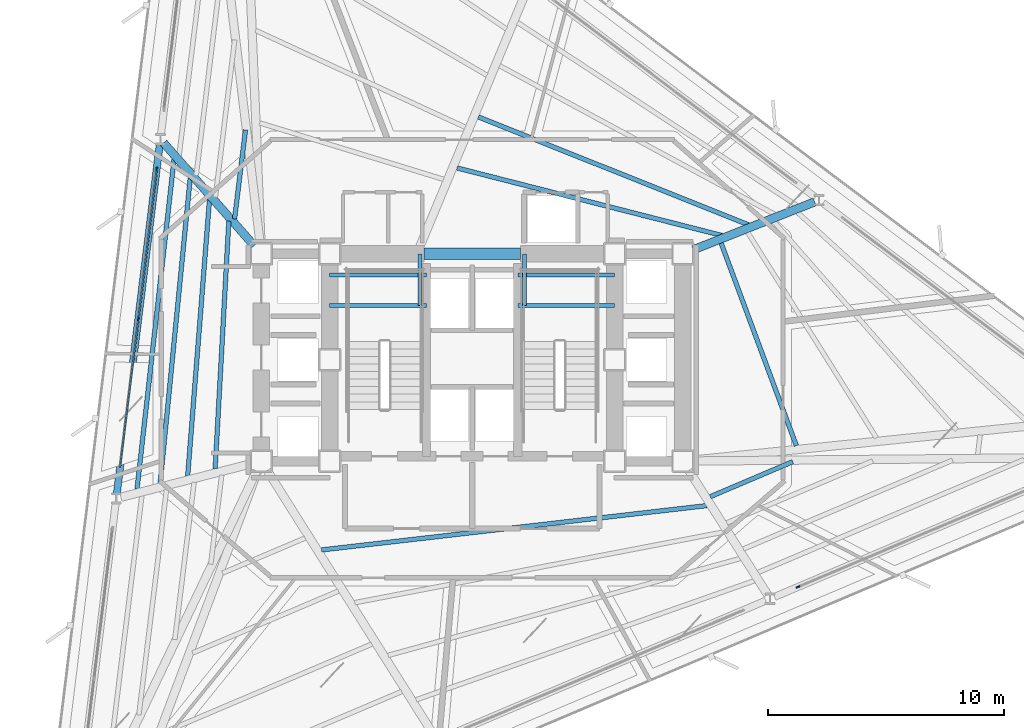
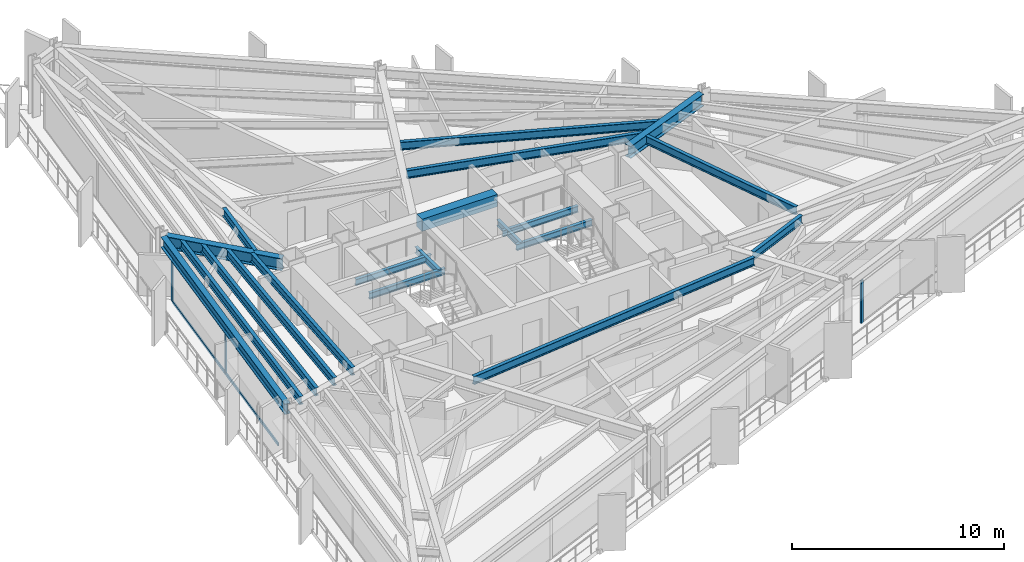
# One storey, part 3 of 13: 20 beams, 7 members, 2 elements without a shape of their own.
"""IFC4 building model written with IfcOpenShell, lengths in metres."""

from ifc_helpers import new_model, si_unit, direction, frame, origin, origin_2d, place, context, subcontext, project, spatial, rectangle, i_section, extrude, material, layer, layer_set, material_profile, profile_set, type_object, element, aggregate, save


model = new_model("IFC4")

# Units and contexts
model_context = context("Model", 3, precision=1e-05, world=origin(), true_north=direction((0.0, 1.0)))
body_context = subcontext(model_context, "Body", "Model", "MODEL_VIEW")
ifc_project = project(units=[si_unit("LENGTHUNIT", "METRE"), si_unit("AREAUNIT", "SQUARE_METRE"), si_unit("VOLUMEUNIT", "CUBIC_METRE"), si_unit("PLANEANGLEUNIT", "RADIAN"), si_unit("MASSUNIT", "GRAM", prefix="KILO")], contexts=[model_context])

# Site, building, storey
site_placement = place(None, origin())
site = spatial("IfcSite", under=ifc_project, at=site_placement, CompositionType="ELEMENT")
building_placement = place(site_placement, origin())
building = spatial("IfcBuilding", under=site, at=building_placement, Name="Rocaltana Carrier Exchange", CompositionType="ELEMENT")
storey_placement = place(building_placement, frame((0.0, 0.0, 59.679931640625)))
storey = spatial("IfcBuildingStorey", under=building, at=storey_placement, Name="L18", CompositionType="ELEMENT", Elevation=59.679931640625)

# Curtain wall, members
ifc_material_1 = material(Name="Aluminium 6063-T6", Category="aluminium")
ifc_layer = layer(ifc_material_1, 0.1650390625)
ifc_layer_set = layer_set([ifc_layer], Name="Aluminium 6063-T6")
curtain_wall_type = type_object("IfcCurtainWallType", Name="Lower-Mid Stepped Curtain Wall CW-02", PredefinedType="NOTDEFINED", material=ifc_layer_set)
curtain_wall_1_placement = place(storey_placement, origin())
curtain_wall_1 = element("IfcCurtainWall", 1, at=curtain_wall_1_placement, inside=storey, type_object=curtain_wall_type, Name="L18 CW-02 Run CW-L18-F2S2", PredefinedType="NOTDEFINED")
ifc_material_2 = material(Name="Aluminium 6063-T6", Category="aluminium")
ifc_material_profile_1 = material_profile(ifc_material_2, rectangle(XDim=0.06494140625, YDim=0.1650390625, at=origin_2d()), Name="AL-65X165")
ifc_profile_set_1 = profile_set([ifc_material_profile_1], Name="Aluminium 6063-T6")
member_type_1 = type_object("IfcMemberType", Name="CW-02 Mullion AL-65X165", PredefinedType="MULLION", material=ifc_profile_set_1)
member_1_placement = place(storey_placement, frame((-13.39404296875, 8.093505859375, 0.0), z_axis=(0.0, 0.0, 1.0), x_axis=(0.992545632614, -0.121873570472, 0.0)))
member_1 = element("IfcMember", 2, at=member_1_placement, type_object=member_type_1, Name="CW-02 mullion 1", PredefinedType="MULLION", context=body_context, shape_type="SweptSolid", body=[
    extrude(rectangle(XDim=0.06494140625, YDim=0.1650390625, at=origin_2d()), origin(), (0.0, 0.0, 1.0), 2.47802734375),
])
member_2_placement = place(storey_placement, frame((-14.17431640625, 1.740234375, 0.0), z_axis=(0.0, 0.0, 1.0), x_axis=(0.992545632614, -0.121873570472, 0.0)))
member_2 = element("IfcMember", 3, at=member_2_placement, type_object=member_type_1, Name="CW-02 mullion 2", PredefinedType="MULLION", context=body_context, shape_type="SweptSolid", body=[
    extrude(rectangle(XDim=0.06494140625, YDim=0.1650390625, at=origin_2d()), origin(), (0.0, 0.0, 1.0), 2.47802734375),
])

# Curtain wall, member
curtain_wall_2_placement = place(storey_placement, origin())
curtain_wall_2 = element("IfcCurtainWall", 4, at=curtain_wall_2_placement, inside=storey, type_object=curtain_wall_type, Name="L18 CW-02 Run CW-L18-F3S3", PredefinedType="NOTDEFINED")
member_3_placement = place(storey_placement, frame((13.8330078125, -9.642333984375, 0.0), z_axis=(0.0, 0.0, 1.0), x_axis=(-0.390735259141, 0.920503100084, 0.0)))
member_3 = element("IfcMember", 5, at=member_3_placement, type_object=member_type_1, Name="CW-02 mullion 1", PredefinedType="MULLION", context=body_context, shape_type="SweptSolid", body=[
    extrude(rectangle(XDim=0.06494140625, YDim=0.1650390625, at=origin_2d()), origin(), (0.0, 0.0, 1.0), 2.47802734375),
])
aggregate(curtain_wall_2, [member_3])

# Member
ifc_material_3 = material(Name="Aluminium 6063-T6", Category="aluminium")
ifc_material_profile_2 = material_profile(ifc_material_3, rectangle(XDim=0.06494140625, YDim=0.1650390625, at=origin_2d()), Name="AL-65X165")
ifc_profile_set_2 = profile_set([ifc_material_profile_2], Name="Aluminium 6063-T6")
member_type_2 = type_object("IfcMemberType", Name="CW-02 Transom AL-65X165", PredefinedType="USERDEFINED", material=ifc_profile_set_2)
member_4_placement = place(storey_placement, frame((-13.398193359375, 8.061279296875, 0.032470703125), z_axis=(-0.121881311797, -0.992544682034, 0.0), x_axis=(0.992544682034, -0.121881311797, 0.0)))
member_4 = element("IfcMember", 6, at=member_4_placement, type_object=member_type_2, Name="CW-02 transom 1.1", ObjectType="TRANSOM", PredefinedType="USERDEFINED", context=body_context, shape_type="SweptSolid", body=[
    extrude(rectangle(XDim=0.06494140625, YDim=0.1650390625, at=origin_2d()), origin(), (0.0, 0.0, 1.0), 6.335693359375),
])

member_5_placement = place(storey_placement, frame((-13.398193359375, 8.061279296875, 2.445556640625), z_axis=(-0.121881311797, -0.992544682034, 0.0), x_axis=(0.992544682034, -0.121881311797, 0.0)))
member_5 = element("IfcMember", 7, at=member_5_placement, type_object=member_type_2, Name="CW-02 transom 1.2", ObjectType="TRANSOM", PredefinedType="USERDEFINED", context=body_context, shape_type="SweptSolid", body=[
    extrude(rectangle(XDim=0.06494140625, YDim=0.1650390625, at=origin_2d()), origin(), (0.0, 0.0, 1.0), 6.335693359375),
])

member_6_placement = place(storey_placement, frame((-14.17822265625, 1.7080078125, 0.032470703125), z_axis=(-0.121881311797, -0.992544682034, 0.0), x_axis=(0.992544682034, -0.121881311797, 0.0)))
member_6 = element("IfcMember", 8, at=member_6_placement, type_object=member_type_2, Name="CW-02 transom 2.1", ObjectType="TRANSOM", PredefinedType="USERDEFINED", context=body_context, shape_type="SweptSolid", body=[
    extrude(rectangle(XDim=0.06494140625, YDim=0.1650390625, at=origin_2d()), origin(), (0.0, 0.0, 1.0), 6.335693359375),
])

member_7_placement = place(storey_placement, frame((-14.17822265625, 1.7080078125, 2.445556640625), z_axis=(-0.121881311797, -0.992544682034, 0.0), x_axis=(0.992544682034, -0.121881311797, 0.0)))
member_7 = element("IfcMember", 9, at=member_7_placement, type_object=member_type_2, Name="CW-02 transom 2.2", ObjectType="TRANSOM", PredefinedType="USERDEFINED", context=body_context, shape_type="SweptSolid", body=[
    extrude(rectangle(XDim=0.06494140625, YDim=0.1650390625, at=origin_2d()), origin(), (0.0, 0.0, 1.0), 6.335693359375),
])

aggregate(curtain_wall_1, [member_1, member_2, member_4, member_5, member_6, member_7])

# Beams
ifc_material_4 = material(Name="Concrete C60/75", Category="concrete")
ifc_material_profile_3 = material_profile(ifc_material_4, rectangle(XDim=0.5, YDim=0.699951171875, at=origin_2d()), Name="RC-BM-500X700")
ifc_profile_set_3 = profile_set([ifc_material_profile_3], Name="Concrete C60/75")
beam_type_1 = type_object("IfcBeamType", Name="Core Coupling Lintel 500x700", PredefinedType="LINTEL", material=ifc_profile_set_3)
beam_1_placement = place(storey_placement, frame((-2.050048828125, 4.5, 2.748046875), z_axis=(1.0, 0.0, 0.0), x_axis=(0.0, 1.0, 0.0)))
element("IfcBeam", 10, at=beam_1_placement, inside=storey, type_object=beam_type_1, Name="L18 Core Coupling Lintel CL-N", PredefinedType="LINTEL", context=body_context, shape_type="SweptSolid", body=[
    extrude(rectangle(XDim=0.5, YDim=0.699951171875, at=origin_2d()), origin(), (0.0, 0.0, 1.0), 4.10009765625),
])
ifc_material_5 = material(Name="Steel S355", Category="steel")
ifc_material_profile_4 = material_profile(ifc_material_5, i_section(OverallWidth=0.172119140625, OverallDepth=0.35791015625, WebThickness=0.0078125, FlangeThickness=0.01318359375, FilletRadius=0.011962890625, at=origin_2d()), Name="W14X38")
ifc_profile_set_4 = profile_set([ifc_material_profile_4], Name="Steel S355")
beam_type_2 = type_object("IfcBeamType", Name="Floor Joist W14X38", PredefinedType="JOIST", material=ifc_profile_set_4)
for number, where, z_axis, x_axis, name in (
    (11, (-6.050048828125, 2.300048828125, 1.301025390625), (1.0, 0.0, 0.0), (0.0, 1.0, 0.0), "L18 ST-1 Landing Carrier 1"),
    (12, (1.93994140625, 2.300048828125, 1.301025390625), (1.0, 0.0, 0.0), (0.0, 1.0, 0.0), "L18 ST-2 Landing Carrier 1"),
    (13, (-6.050048828125, 3.60009765625, 1.301025390625), (1.0, 0.0, 0.0), (0.0, 1.0, 0.0), "L18 ST-1 Landing Carrier 2"),
    (14, (1.93994140625, 3.60009765625, 1.301025390625), (1.0, 0.0, 0.0), (0.0, 1.0, 0.0), "L18 ST-2 Landing Carrier 2"),
):
    element("IfcBeam", number, at=place(storey_placement, frame(where, z_axis=z_axis, x_axis=x_axis)), inside=storey, type_object=beam_type_2, Name=name, PredefinedType="JOIST", context=body_context, shape_type="SweptSolid", body=[
        extrude(i_section(OverallWidth=0.172119140625, OverallDepth=0.35791015625, WebThickness=0.0078125, FlangeThickness=0.01318359375, FilletRadius=0.011962890625, at=origin_2d()), origin(), (0.0, 0.0, 1.0), 4.110107421875),
    ])
for number, where, z_axis, x_axis, name in (
    (15, (-2.219970703125, 2.300048828125, 1.301025390625), (0.0, 1.0, 0.0), (-1.0, 0.0, 0.0), "L18 ST-1 Landing Cross Trimmer"),
    (16, (2.219970703125, 2.300048828125, 1.301025390625), (0.0, 1.0, 0.0), (-1.0, 0.0, 0.0), "L18 ST-2 Landing Cross Trimmer"),
):
    element("IfcBeam", number, at=place(storey_placement, frame(where, z_axis=z_axis, x_axis=x_axis)), inside=storey, type_object=beam_type_2, Name=name, PredefinedType="JOIST", context=body_context, shape_type="SweptSolid", body=[
        extrude(i_section(OverallWidth=0.172119140625, OverallDepth=0.35791015625, WebThickness=0.0078125, FlangeThickness=0.01318359375, FilletRadius=0.011962890625, at=origin_2d()), origin(), (0.0, 0.0, 1.0), 2.199951171875),
    ])
ifc_material_6 = material(Name="Steel S355", Category="steel")
ifc_material_profile_5 = material_profile(ifc_material_6, i_section(OverallWidth=0.193115234375, OverallDepth=0.466064453125, WebThickness=0.011474609375, FlangeThickness=0.01904296875, FilletRadius=0.013916015625, at=origin_2d()), Name="W18X65")
ifc_profile_set_5 = profile_set([ifc_material_profile_5], Name="Steel S355")
beam_type_3 = type_object("IfcBeamType", Name="Floor Joist W18X65", PredefinedType="JOIST", material=ifc_profile_set_5)
beam_2_placement = place(storey_placement, frame((13.7646484375, -3.644287109375, 2.864990234375), z_axis=(-0.348190538878, 0.937423782841, 0.0), x_axis=(-0.937423782841, -0.348190538878, 0.0)))
element("IfcBeam", 17, at=beam_2_placement, inside=storey, type_object=beam_type_3, Name="FJ-L18-01-1", PredefinedType="JOIST", context=body_context, shape_type="SweptSolid", body=[
    extrude(i_section(OverallWidth=0.193115234375, OverallDepth=0.466064453125, WebThickness=0.011474609375, FlangeThickness=0.01904296875, FilletRadius=0.013916015625, at=origin_2d()), origin(), (0.0, 0.0, 1.0), 9.17333984375),
])
beam_3_placement = place(storey_placement, frame((10.633544921875, 5.272216796875, 2.864990234375), z_axis=(-0.969019358716, 0.246984781785, 0.0), x_axis=(-0.246984781785, -0.969019358716, 0.0)))
element("IfcBeam", 18, at=beam_3_placement, inside=storey, type_object=beam_type_3, Name="FJ-L18-02-1", PredefinedType="JOIST", context=body_context, shape_type="SweptSolid", body=[
    extrude(i_section(OverallWidth=0.193115234375, OverallDepth=0.466064453125, WebThickness=0.011474609375, FlangeThickness=0.01904296875, FilletRadius=0.013916015625, at=origin_2d()), origin(), (0.0, 0.0, 1.0), 11.639404296875),
])
beam_4_placement = place(storey_placement, frame((11.73876953125, 5.72705078125, 2.864990234375), z_axis=(-0.928527082135, 0.371264673436, 0.0), x_axis=(-0.371264673436, -0.928527082135, 0.0)))
element("IfcBeam", 19, at=beam_4_placement, inside=storey, type_object=beam_type_3, Name="FJ-L18-02-2", PredefinedType="JOIST", context=body_context, shape_type="SweptSolid", body=[
    extrude(i_section(OverallWidth=0.193115234375, OverallDepth=0.466064453125, WebThickness=0.011474609375, FlangeThickness=0.01904296875, FilletRadius=0.013916015625, at=origin_2d()), origin(), (0.0, 0.0, 1.0), 12.36083984375),
])
beam_5_placement = place(storey_placement, frame((-9.623046875, 9.76171875, 2.864990234375), z_axis=(-0.121879106214, -0.99254495287, 0.0), x_axis=(0.99254495287, -0.121879106214, 0.0)))
element("IfcBeam", 20, at=beam_5_placement, inside=storey, type_object=beam_type_3, Name="FJ-L18-05-1", PredefinedType="JOIST", context=body_context, shape_type="SweptSolid", body=[
    extrude(i_section(OverallWidth=0.193115234375, OverallDepth=0.466064453125, WebThickness=0.011474609375, FlangeThickness=0.01904296875, FilletRadius=0.013916015625, at=origin_2d()), origin(), (0.0, 0.0, 1.0), 3.805908203125),
])
beam_6_placement = place(storey_placement, frame((-10.33154296875, 5.885986328125, 2.864990234375), z_axis=(-0.055068403042, -0.998482584218, 0.0), x_axis=(0.998482584218, -0.055068403042, 0.0)))
element("IfcBeam", 21, at=beam_6_placement, inside=storey, type_object=beam_type_3, Name="FJ-L18-06-1", PredefinedType="JOIST", context=body_context, shape_type="SweptSolid", body=[
    extrude(i_section(OverallWidth=0.193115234375, OverallDepth=0.466064453125, WebThickness=0.011474609375, FlangeThickness=0.01904296875, FilletRadius=0.013916015625, at=origin_2d()), origin(), (0.0, 0.0, 1.0), 10.5380859375),
])
beam_7_placement = place(storey_placement, frame((-11.150390625, 6.810791015625, 2.864990234375), z_axis=(-0.078741493591, -0.996895068293, 0.0), x_axis=(0.996895068293, -0.078741493591, 0.0)))
element("IfcBeam", 22, at=beam_7_placement, inside=storey, type_object=beam_type_3, Name="FJ-L18-06-2", PredefinedType="JOIST", context=body_context, shape_type="SweptSolid", body=[
    extrude(i_section(OverallWidth=0.193115234375, OverallDepth=0.466064453125, WebThickness=0.011474609375, FlangeThickness=0.01904296875, FilletRadius=0.013916015625, at=origin_2d()), origin(), (0.0, 0.0, 1.0), 11.78515625),
])
beam_8_placement = place(storey_placement, frame((-11.96826171875, 7.73583984375, 2.864990234375), z_axis=(-0.097972183255, -0.995189153532, 0.0), x_axis=(0.995189153532, -0.097972183255, 0.0)))
element("IfcBeam", 23, at=beam_8_placement, inside=storey, type_object=beam_type_3, Name="FJ-L18-06-3", PredefinedType="JOIST", context=body_context, shape_type="SweptSolid", body=[
    extrude(i_section(OverallWidth=0.193115234375, OverallDepth=0.466064453125, WebThickness=0.011474609375, FlangeThickness=0.01904296875, FilletRadius=0.013916015625, at=origin_2d()), origin(), (0.0, 0.0, 1.0), 13.037841796875),
])
beam_9_placement = place(storey_placement, frame((-12.65673828125, 8.5146484375, 2.864990234375), z_axis=(-0.111539715424, -0.993759976998, 0.0), x_axis=(0.993759976998, -0.111539715424, 0.0)))
element("IfcBeam", 24, at=beam_9_placement, inside=storey, type_object=beam_type_3, Name="FJ-L18-06-4", PredefinedType="JOIST", context=body_context, shape_type="SweptSolid", body=[
    extrude(i_section(OverallWidth=0.193115234375, OverallDepth=0.466064453125, WebThickness=0.011474609375, FlangeThickness=0.01904296875, FilletRadius=0.013916015625, at=origin_2d()), origin(), (0.0, 0.0, 1.0), 14.095947265625),
])
beam_10_placement = place(storey_placement, frame((-6.393310546875, -8.071533203125, 2.864990234375), z_axis=(0.993445833528, 0.114303875027, 0.0), x_axis=(-0.114303875027, 0.993445833528, 0.0)))
element("IfcBeam", 25, at=beam_10_placement, inside=storey, type_object=beam_type_3, Name="FJ-L18-10-1", PredefinedType="JOIST", context=body_context, shape_type="SweptSolid", body=[
    extrude(i_section(OverallWidth=0.193115234375, OverallDepth=0.466064453125, WebThickness=0.011474609375, FlangeThickness=0.01904296875, FilletRadius=0.013916015625, at=origin_2d()), origin(), (0.0, 0.0, 1.0), 16.465576171875),
])
beam_11_placement = place(storey_placement, frame((10.107421875, -5.810791015625, 2.864990234375), z_axis=(0.920496503987, 0.390750798013, 0.0), x_axis=(-0.390750798013, 0.920496503987, 0.0)))
element("IfcBeam", 26, at=beam_11_placement, inside=storey, type_object=beam_type_3, Name="FJ-L18-11-1", PredefinedType="JOIST", context=body_context, shape_type="SweptSolid", body=[
    extrude(i_section(OverallWidth=0.193115234375, OverallDepth=0.466064453125, WebThickness=0.011474609375, FlangeThickness=0.01904296875, FilletRadius=0.013916015625, at=origin_2d()), origin(), (0.0, 0.0, 1.0), 3.80615234375),
])
ifc_material_7 = material(Name="Steel S355", Category="steel")
ifc_material_profile_6 = material_profile(ifc_material_7, i_section(OverallWidth=0.35498046875, OverallDepth=0.695068359375, WebThickness=0.015380859375, FlangeThickness=0.02490234375, FilletRadius=0.01806640625, at=origin_2d()), Name="W27X146")
ifc_profile_set_6 = profile_set([ifc_material_profile_6], Name="Steel S355")
beam_type_4 = type_object("IfcBeamType", Name="Radial Girder W27X146", PredefinedType="BEAM", material=ifc_profile_set_6)
beam_12_placement = place(storey_placement, frame((9.384521484375, 4.67138671875, 2.75048828125), z_axis=(0.930182926825, 0.36709633973, 0.0), x_axis=(-0.36709633973, 0.930182926825, 0.0)))
element("IfcBeam", 27, at=beam_12_placement, inside=storey, type_object=beam_type_4, Name="RG-L18-02", PredefinedType="BEAM", context=body_context, shape_type="SweptSolid", body=[
    extrude(i_section(OverallWidth=0.35498046875, OverallDepth=0.695068359375, WebThickness=0.015380859375, FlangeThickness=0.02490234375, FilletRadius=0.01806640625, at=origin_2d()), origin(), (0.0, 0.0, 1.0), 5.543212890625),
])
beam_13_placement = place(storey_placement, frame((-9.2587890625, 4.850341796875, 2.75048828125), z_axis=(-0.661089638408, 0.750306930522, 0.0), x_axis=(-0.750306930522, -0.661089638408, 0.0)))
element("IfcBeam", 28, at=beam_13_placement, inside=storey, type_object=beam_type_4, Name="RG-L18-06", PredefinedType="BEAM", context=body_context, shape_type="SweptSolid", body=[
    extrude(i_section(OverallWidth=0.35498046875, OverallDepth=0.695068359375, WebThickness=0.015380859375, FlangeThickness=0.02490234375, FilletRadius=0.01806640625, at=origin_2d()), origin(), (0.0, 0.0, 1.0), 5.81494140625),
])
ifc_material_8 = material(Name="Steel S355", Category="steel")
ifc_material_profile_7 = material_profile(ifc_material_8, i_section(OverallWidth=0.300048828125, OverallDepth=0.60009765625, WebThickness=0.015380859375, FlangeThickness=0.030029296875, FilletRadius=0.027099609375, at=origin_2d()), Name="HEB600")
ifc_profile_set_7 = profile_set([ifc_material_profile_7], Name="Steel S355")
beam_type_5 = type_object("IfcBeamType", Name="Spandrel Edge Beam HEB600", PredefinedType="SPANDREL", material=ifc_profile_set_7)
beam_14_placement = place(storey_placement, frame((-13.2626953125, 9.163818359375, 2.798095703125), z_axis=(-0.121870991454, -0.992545949285, 0.0), x_axis=(0.992545949285, -0.121870991454, 0.0)))
element("IfcBeam", 29, at=beam_14_placement, inside=storey, type_object=beam_type_5, Name="SP-L18-06", PredefinedType="SPANDREL", context=body_context, shape_type="SweptSolid", body=[
    extrude(i_section(OverallWidth=0.300048828125, OverallDepth=0.60009765625, WebThickness=0.015380859375, FlangeThickness=0.030029296875, FilletRadius=0.027099609375, at=origin_2d()), origin(), (0.0, 0.0, 1.0), 14.95849609375),
])

save(model, "model.ifc")
